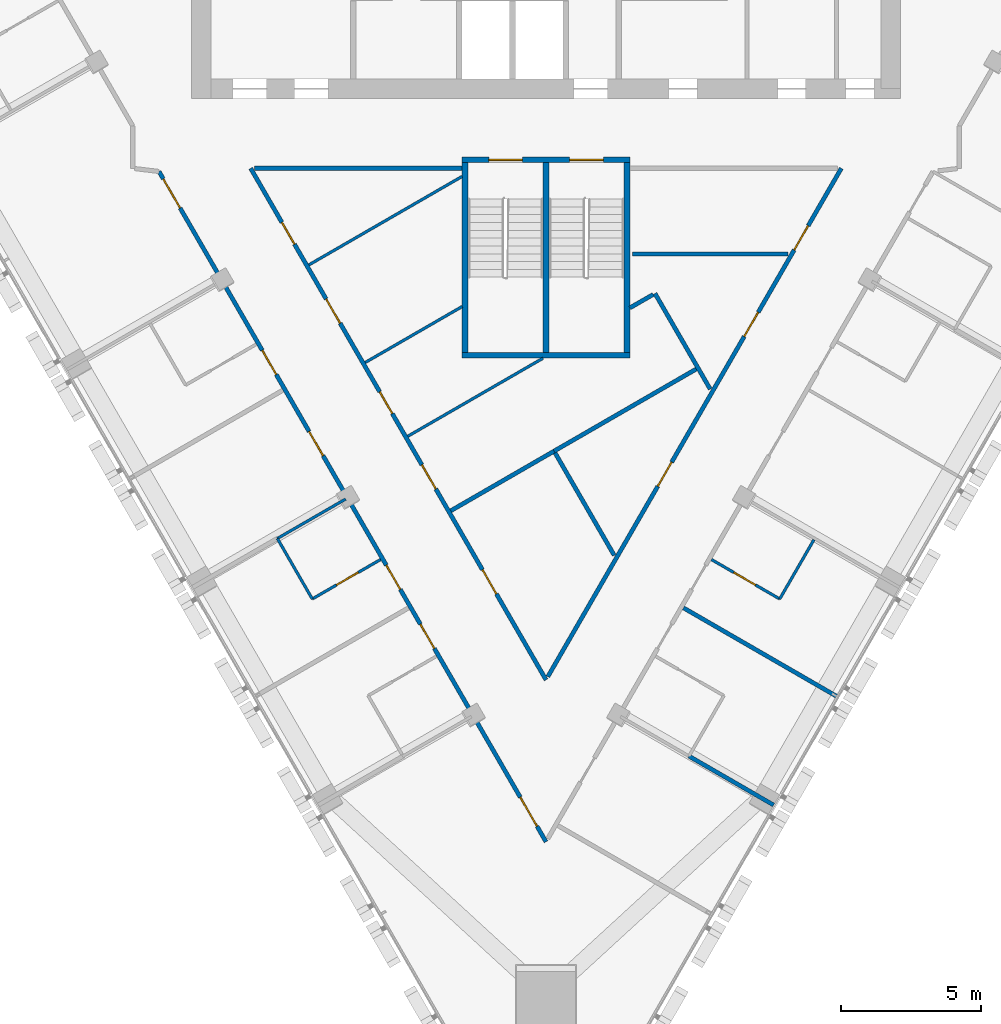
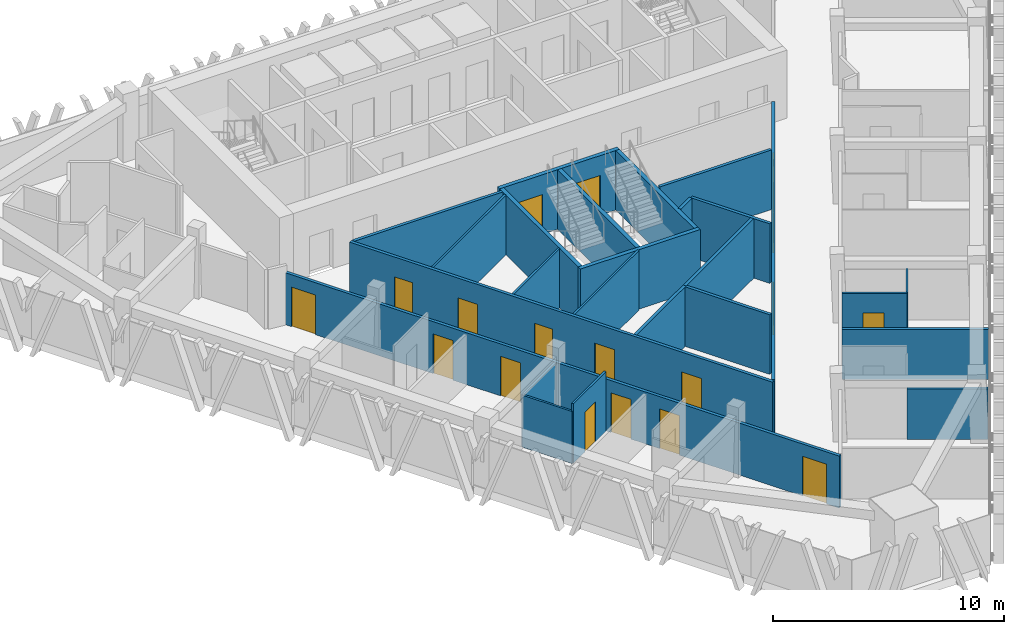
# One storey, part 9 of 15: 25 walls, 18 doors, 18 openings.
"""IFC4 building model written with IfcOpenShell, lengths in metres."""

from ifc_helpers import new_model, si_unit, direction, frame, frame_2d, origin, place, context, subcontext, project, spatial, rectangle, extrude, material, layer, layer_set, type_object, element, fill, save


model = new_model("IFC4")

# Units and contexts
model_context = context("Model", 3, precision=1e-05, world=origin(), true_north=direction((0.0, 1.0)))
body_context = subcontext(model_context, "Body", "Model", "MODEL_VIEW")
ifc_project = project(units=[si_unit("LENGTHUNIT", "METRE"), si_unit("AREAUNIT", "SQUARE_METRE"), si_unit("VOLUMEUNIT", "CUBIC_METRE"), si_unit("PLANEANGLEUNIT", "RADIAN"), si_unit("MASSUNIT", "GRAM", prefix="KILO")], contexts=[model_context])

# Site, building, storey
site_placement = place(None, origin())
site = spatial("IfcSite", under=ifc_project, at=site_placement, CompositionType="ELEMENT")
building_placement = place(site_placement, origin())
building = spatial("IfcBuilding", under=site, at=building_placement, Name="Altiplano Prism Tower", CompositionType="ELEMENT")
storey_placement = place(building_placement, frame((0.0, 0.0, 171.0)))
storey = spatial("IfcBuildingStorey", under=building, at=storey_placement, Name="L44", CompositionType="ELEMENT", Elevation=171.0)

# Wall, opening, door
ifc_material_1 = material(Name="Plasterboard on steel stud", Category="steel")
ifc_layer_1 = layer(ifc_material_1, 0.10009765625)
ifc_layer_set_1 = layer_set([ifc_layer_1], Name="Plasterboard on steel stud")
wall_type_1 = type_object("IfcWallType", Name="Partition 100 unit", PredefinedType="PARTITIONING", material=ifc_layer_set_1)
wall_1_placement = place(storey_placement, frame((79.0771484375, 76.192138671875, 0.0), z_axis=(0.0, 0.0, 1.0), x_axis=(-0.866027263711, -0.4999967785, 0.0)))
wall_1 = element("IfcWall", 1, at=wall_1_placement, inside=storey, type_object=wall_type_1, Name="Partition P02 L44 048", PredefinedType="PARTITIONING", context=body_context, shape_type="SweptSolid", body=[
    extrude(rectangle(XDim=2.82470703125, YDim=0.10009765625, at=frame_2d((1.412353515625, 0.0))), origin(), (0.0, 0.0, 1.0), 3.14990234375),
])
opening_1_placement = place(wall_1_placement, frame((0.925048828125, 0.0, 0.0)))
opening_1 = element("IfcOpeningElement", 2, at=opening_1_placement, cuts=wall_1, Name="Opening D1556", PredefinedType="OPENING", context=body_context, shape_type="SweptSolid", body=[
    extrude(rectangle(XDim=0.89990234375, YDim=2.10009765625, at=frame_2d((0.449951171875, 1.050048828125))), frame((0.0, 0.060546875, 0.0), z_axis=(0.0, -1.0, 0.0), x_axis=(1.0, 0.0, 0.0)), (0.0, 0.0, 1.0), 0.12109375),
])
ifc_material_2 = material(Name="Timber", Category="wood")
door_type_1 = type_object("IfcDoorType", Name="Ensuite door 900 x 2100", OperationType="NOTDEFINED", PredefinedType="NOTDEFINED", material=ifc_material_2)
door_1_placement = place(opening_1_placement, origin())
door_1 = element("IfcDoor", 3, at=door_1_placement, inside=storey, type_object=door_type_1, Name="Door D1556", OperationType="SINGLE_SWING_RIGHT", OverallHeight=2.10009765625, OverallWidth=0.89990234375, PredefinedType="NOTDEFINED", context=body_context, shape_type="SweptSolid", body=[
    extrude(rectangle(XDim=0.89990234375, YDim=2.10009765625, at=frame_2d((0.449951171875, 1.050048828125))), frame((0.0, 0.02490234375, 0.0), z_axis=(0.0, -1.0, 0.0), x_axis=(1.0, 0.0, 0.0)), (0.0, 0.0, 1.0), 0.050048828125),
])
fill(opening_1, door_1)

# Walls
wall_2_placement = place(storey_placement, frame((76.630859375, 74.77978515625, 0.0), z_axis=(0.0, 0.0, 1.0), x_axis=(-0.500004234368, 0.866022959057, 0.0)))
element("IfcWall", 4, at=wall_2_placement, inside=storey, type_object=wall_type_1, Name="Partition P02 L44 049", PredefinedType="PARTITIONING", context=body_context, shape_type="SweptSolid", body=[
    extrude(rectangle(XDim=2.5, YDim=0.10009765625, at=frame_2d((1.25, 0.0))), origin(), (0.0, 0.0, 1.0), 2.75),
])
wall_3_placement = place(storey_placement, frame((94.59423828125, 76.9013671875, 0.0), z_axis=(0.0, 0.0, 1.0), x_axis=(-0.500061746146, -0.865989751695, 0.0)))
element("IfcWall", 5, at=wall_3_placement, inside=storey, type_object=wall_type_1, Name="Partition P02 L44 061", PredefinedType="PARTITIONING", context=body_context, shape_type="SweptSolid", body=[
    extrude(rectangle(XDim=2.449951171875, YDim=0.10009765625, at=frame_2d((1.22509765625, 0.0))), origin(), (0.0, 0.0, 1.0), 2.75),
])

# Wall, opening, door
wall_4_placement = place(storey_placement, frame((93.369140625, 74.77978515625, 0.0), z_axis=(0.0, 0.0, 1.0), x_axis=(-0.866027263711, 0.4999967785, 0.0)))
wall_4 = element("IfcWall", 6, at=wall_4_placement, inside=storey, type_object=wall_type_1, Name="Partition P02 L44 062", PredefinedType="PARTITIONING", context=body_context, shape_type="SweptSolid", body=[
    extrude(rectangle(XDim=2.82470703125, YDim=0.10009765625, at=frame_2d((1.412353515625, 0.0))), origin(), (0.0, 0.0, 1.0), 3.14990234375),
])
opening_2_placement = place(wall_4_placement, frame((1.0, 0.0, 0.0)))
opening_2 = element("IfcOpeningElement", 7, at=opening_2_placement, cuts=wall_4, Name="Opening D1564", PredefinedType="OPENING", context=body_context, shape_type="SweptSolid", body=[
    extrude(rectangle(XDim=0.89990234375, YDim=2.10009765625, at=frame_2d((0.449951171875, 1.050048828125))), frame((0.0, 0.060546875, 0.0), z_axis=(0.0, -1.0, 0.0), x_axis=(1.0, 0.0, 0.0)), (0.0, 0.0, 1.0), 0.12109375),
])
door_2_placement = place(opening_2_placement, origin())
door_2 = element("IfcDoor", 8, at=door_2_placement, inside=storey, type_object=door_type_1, Name="Door D1564", OperationType="SINGLE_SWING_LEFT", OverallHeight=2.10009765625, OverallWidth=0.89990234375, PredefinedType="NOTDEFINED", context=body_context, shape_type="SweptSolid", body=[
    extrude(rectangle(XDim=0.89990234375, YDim=2.10009765625, at=frame_2d((0.449951171875, 1.050048828125))), frame((0.0, 0.02490234375, 0.0), z_axis=(0.0, -1.0, 0.0), x_axis=(1.0, 0.0, 0.0)), (0.0, 0.0, 1.0), 0.050048828125),
])
fill(opening_2, door_2)

# Walls
ifc_layer_2 = layer(ifc_material_1, 0.10009765625)
ifc_layer_set_2 = layer_set([ifc_layer_2], Name="Plasterboard on steel stud")
wall_type_2 = type_object("IfcWallType", Name="Partition 100 wet", PredefinedType="PARTITIONING", material=ifc_layer_set_2)
wall_5_placement = place(storey_placement, frame((82.0, 85.251708984375, 0.0), z_axis=(0.0, 0.0, 1.0), x_axis=(-0.866013269967, -0.500021015799, 0.0)))
element("IfcWall", 9, at=wall_5_placement, inside=storey, type_object=wall_type_2, Name="Partition P03 L44 030", PredefinedType="PARTITIONING", context=body_context, shape_type="SweptSolid", body=[
    extrude(rectangle(XDim=4.010986328125, YDim=0.10009765625, at=frame_2d((2.00537109375, 0.0))), origin(), (0.0, 0.0, 1.0), 3.14990234375),
])
wall_6_placement = place(storey_placement, frame((80.05126953125, 80.605224609375, 0.0), z_axis=(0.0, 0.0, 1.0), x_axis=(0.866027745044, 0.499995944798, 0.0)))
element("IfcWall", 10, at=wall_6_placement, inside=storey, type_object=wall_type_2, Name="Partition P03 L44 031", PredefinedType="PARTITIONING", context=body_context, shape_type="SweptSolid", body=[
    extrude(rectangle(XDim=5.58935546875, YDim=0.10009765625, at=frame_2d((2.794677734375, 0.0))), origin(), (0.0, 0.0, 1.0), 3.14990234375),
])
wall_7_placement = place(storey_placement, frame((76.5087890625, 86.740966796875, 0.0), z_axis=(0.0, 0.0, 1.0), x_axis=(0.866004767111, 0.500035742063, 0.0)))
element("IfcWall", 11, at=wall_7_placement, inside=storey, type_object=wall_type_2, Name="Partition P03 L44 032", PredefinedType="PARTITIONING", context=body_context, shape_type="SweptSolid", body=[
    extrude(rectangle(XDim=6.3408203125, YDim=0.10009765625, at=frame_2d((3.17041015625, 0.0))), origin(), (0.0, 0.0, 1.0), 3.14990234375),
])
wall_8_placement = place(storey_placement, frame((75.380859375, 76.94482421875, 0.0), z_axis=(0.0, 0.0, 1.0), x_axis=(0.866027263711, 0.4999967785, 0.0)))
element("IfcWall", 12, at=wall_8_placement, inside=storey, type_object=wall_type_2, Name="Partition P03 L44 047", PredefinedType="PARTITIONING", context=body_context, shape_type="SweptSolid", body=[
    extrude(rectangle(XDim=2.82470703125, YDim=0.10009765625, at=frame_2d((1.412353515625, 0.0))), origin(), (0.0, 0.0, 1.0), 2.75),
])
ifc_layer_3 = layer(ifc_material_1, 0.14990234375)
ifc_layer_set_3 = layer_set([ifc_layer_3], Name="Plasterboard on steel stud")
wall_type_3 = type_object("IfcWallType", Name="Partition 150 corridor", PredefinedType="PARTITIONING", material=ifc_layer_set_3)
wall_9_placement = place(storey_placement, frame((74.554931640625, 90.199951171875, 0.0), z_axis=(0.0, 0.0, 1.0), x_axis=(1.0, 0.0, 0.0)))
element("IfcWall", 13, at=wall_9_placement, inside=storey, type_object=wall_type_3, Name="Partition P06 L44 001", PredefinedType="PARTITIONING", context=body_context, shape_type="SweptSolid", body=[
    extrude(rectangle(XDim=7.445068359375, YDim=0.14990234375, at=frame_2d((3.72265625, 0.0))), origin(), (0.0, 0.0, 1.0), 3.14990234375),
])

# Wall, openings, doors
wall_10_placement = place(storey_placement, frame((95.574951171875, 90.199951171875, 0.0), z_axis=(0.0, 0.0, 1.0), x_axis=(-0.500000277693, -0.866025243458, 0.0)))
wall_10 = element("IfcWall", 14, at=wall_10_placement, inside=storey, type_object=wall_type_3, Name="Partition P06 L44 002", PredefinedType="PARTITIONING", context=body_context, shape_type="SweptSolid", body=[
    extrude(rectangle(XDim=21.02001953125, YDim=0.14990234375, at=frame_2d((10.510009765625, 0.0))), origin(), (0.0, 0.0, 1.0), 3.14990234375),
])
opening_3_placement = place(wall_10_placement, frame((5.952880859375, 0.0, 0.0)))
opening_3 = element("IfcOpeningElement", 15, at=opening_3_placement, cuts=wall_10, Name="Opening D1545", PredefinedType="OPENING", context=body_context, shape_type="SweptSolid", body=[
    extrude(rectangle(XDim=1.0, YDim=2.10009765625, at=frame_2d((0.5, 1.050048828125))), frame((0.0, 0.08544921875, 0.0), z_axis=(0.0, -1.0, 0.0), x_axis=(1.0, 0.0, 0.0)), (0.0, 0.0, 1.0), 0.1708984375),
])
opening_4_placement = place(wall_10_placement, frame((12.14892578125, 0.0, 0.0)))
opening_4 = element("IfcOpeningElement", 16, at=opening_4_placement, cuts=wall_10, Name="Opening D1546", PredefinedType="OPENING", context=body_context, shape_type="SweptSolid", body=[
    extrude(rectangle(XDim=1.0, YDim=2.10009765625, at=frame_2d((0.5, 1.050048828125))), frame((0.0, 0.08544921875, 0.0), z_axis=(0.0, -1.0, 0.0), x_axis=(1.0, 0.0, 0.0)), (0.0, 0.0, 1.0), 0.1708984375),
])
opening_5_placement = place(wall_10_placement, frame((2.375, 0.0, 0.0)))
opening_5 = element("IfcOpeningElement", 17, at=opening_5_placement, cuts=wall_10, Name="Opening D1547", PredefinedType="OPENING", context=body_context, shape_type="SweptSolid", body=[
    extrude(rectangle(XDim=1.0, YDim=2.10009765625, at=frame_2d((0.5, 1.050048828125))), frame((0.0, 0.08544921875, 0.0), z_axis=(0.0, -1.0, 0.0), x_axis=(1.0, 0.0, 0.0)), (0.0, 0.0, 1.0), 0.1708984375),
])
door_type_2 = type_object("IfcDoorType", Name="Store door 1000 x 2100", OperationType="NOTDEFINED", PredefinedType="NOTDEFINED", material=ifc_material_2)
door_3_placement = place(opening_3_placement, origin())
door_3 = element("IfcDoor", 18, at=door_3_placement, inside=storey, type_object=door_type_2, Name="Door D1545", OperationType="SINGLE_SWING_RIGHT", OverallHeight=2.10009765625, OverallWidth=1.0, PredefinedType="NOTDEFINED", context=body_context, shape_type="SweptSolid", body=[
    extrude(rectangle(XDim=1.0, YDim=2.10009765625, at=frame_2d((0.5, 1.050048828125))), frame((0.0, 0.02490234375, 0.0), z_axis=(0.0, -1.0, 0.0), x_axis=(1.0, 0.0, 0.0)), (0.0, 0.0, 1.0), 0.050048828125),
])
fill(opening_3, door_3)
door_4_placement = place(opening_4_placement, origin())
door_4 = element("IfcDoor", 19, at=door_4_placement, inside=storey, type_object=door_type_2, Name="Door D1546", OperationType="SINGLE_SWING_LEFT", OverallHeight=2.10009765625, OverallWidth=1.0, PredefinedType="NOTDEFINED", context=body_context, shape_type="SweptSolid", body=[
    extrude(rectangle(XDim=1.0, YDim=2.10009765625, at=frame_2d((0.5, 1.050048828125))), frame((0.0, 0.02490234375, 0.0), z_axis=(0.0, -1.0, 0.0), x_axis=(1.0, 0.0, 0.0)), (0.0, 0.0, 1.0), 0.050048828125),
])
fill(opening_4, door_4)
door_5_placement = place(opening_5_placement, origin())
door_5 = element("IfcDoor", 20, at=door_5_placement, inside=storey, type_object=door_type_2, Name="Door D1547", OperationType="SINGLE_SWING_LEFT", OverallHeight=2.10009765625, OverallWidth=1.0, PredefinedType="NOTDEFINED", context=body_context, shape_type="SweptSolid", body=[
    extrude(rectangle(XDim=1.0, YDim=2.10009765625, at=frame_2d((0.5, 1.050048828125))), frame((0.0, 0.02490234375, 0.0), z_axis=(0.0, -1.0, 0.0), x_axis=(1.0, 0.0, 0.0)), (0.0, 0.0, 1.0), 0.050048828125),
])
fill(opening_5, door_5)

wall_11_placement = place(storey_placement, frame((85.0, 71.8837890625, 0.0), z_axis=(0.0, 0.0, 1.0), x_axis=(-0.500003902437, 0.8660231507, 0.0)))
wall_11 = element("IfcWall", 21, at=wall_11_placement, inside=storey, type_object=wall_type_3, Name="Partition P06 L44 004", PredefinedType="PARTITIONING", context=body_context, shape_type="SweptSolid", body=[
    extrude(rectangle(XDim=21.149658203125, YDim=0.14990234375, at=frame_2d((10.57470703125, 0.0))), origin(), (0.0, 0.0, 1.0), 3.14990234375),
])
opening_6_placement = place(wall_11_placement, frame((11.008056640625, 0.0, 0.0)))
opening_6 = element("IfcOpeningElement", 22, at=opening_6_placement, cuts=wall_11, Name="Opening D1543", PredefinedType="OPENING", context=body_context, shape_type="SweptSolid", body=[
    extrude(rectangle(XDim=0.89990234375, YDim=2.10009765625, at=frame_2d((0.449951171875, 1.050048828125))), frame((0.0, 0.08544921875, 0.0), z_axis=(0.0, -1.0, 0.0), x_axis=(1.0, 0.0, 0.0)), (0.0, 0.0, 1.0), 0.1708984375),
])
opening_7_placement = place(wall_11_placement, frame((18.014892578125, 0.0, 0.0)))
opening_7 = element("IfcOpeningElement", 23, at=opening_7_placement, cuts=wall_11, Name="Opening D1544", PredefinedType="OPENING", context=body_context, shape_type="SweptSolid", body=[
    extrude(rectangle(XDim=0.89990234375, YDim=2.10009765625, at=frame_2d((0.449951171875, 1.050048828125))), frame((0.0, 0.08544921875, 0.0), z_axis=(0.0, -1.0, 0.0), x_axis=(1.0, 0.0, 0.0)), (0.0, 0.0, 1.0), 0.1708984375),
])
opening_8_placement = place(wall_11_placement, frame((14.743896484375, 0.0, 0.0)))
opening_8 = element("IfcOpeningElement", 24, at=opening_8_placement, cuts=wall_11, Name="Opening D1548", PredefinedType="OPENING", context=body_context, shape_type="SweptSolid", body=[
    extrude(rectangle(XDim=1.0, YDim=2.10009765625, at=frame_2d((0.5, 1.050048828125))), frame((0.0, 0.08544921875, 0.0), z_axis=(0.0, -1.0, 0.0), x_axis=(1.0, 0.0, 0.0)), (0.0, 0.0, 1.0), 0.1708984375),
])
opening_9_placement = place(wall_11_placement, frame((7.888916015625, 0.0, 0.0)))
opening_9 = element("IfcOpeningElement", 25, at=opening_9_placement, cuts=wall_11, Name="Opening D1573", PredefinedType="OPENING", context=body_context, shape_type="SweptSolid", body=[
    extrude(rectangle(XDim=1.0, YDim=2.10009765625, at=frame_2d((0.5, 1.050048828125))), frame((0.0, 0.08544921875, 0.0), z_axis=(0.0, -1.0, 0.0), x_axis=(1.0, 0.0, 0.0)), (0.0, 0.0, 1.0), 0.1708984375),
])
opening_10_placement = place(wall_11_placement, frame((3.554931640625, 0.0, 0.0)))
opening_10 = element("IfcOpeningElement", 26, at=opening_10_placement, cuts=wall_11, Name="Opening D1574", PredefinedType="OPENING", context=body_context, shape_type="SweptSolid", body=[
    extrude(rectangle(XDim=1.0, YDim=2.10009765625, at=frame_2d((0.5, 1.050048828125))), frame((0.0, 0.08544921875, 0.0), z_axis=(0.0, -1.0, 0.0), x_axis=(1.0, 0.0, 0.0)), (0.0, 0.0, 1.0), 0.1708984375),
])
door_type_3 = type_object("IfcDoorType", Name="Room door 1000 x 2100", OperationType="NOTDEFINED", PredefinedType="NOTDEFINED", material=ifc_material_2)
door_6_placement = place(opening_9_placement, origin())
door_6 = element("IfcDoor", 27, at=door_6_placement, inside=storey, type_object=door_type_3, Name="Door D1573", OperationType="SINGLE_SWING_RIGHT", OverallHeight=2.10009765625, OverallWidth=1.0, PredefinedType="NOTDEFINED", context=body_context, shape_type="SweptSolid", body=[
    extrude(rectangle(XDim=1.0, YDim=2.10009765625, at=frame_2d((0.5, 1.050048828125))), frame((0.0, 0.02490234375, 0.0), z_axis=(0.0, -1.0, 0.0), x_axis=(1.0, 0.0, 0.0)), (0.0, 0.0, 1.0), 0.050048828125),
])
fill(opening_9, door_6)
door_7_placement = place(opening_10_placement, origin())
door_7 = element("IfcDoor", 28, at=door_7_placement, inside=storey, type_object=door_type_3, Name="Door D1574", OperationType="SINGLE_SWING_LEFT", OverallHeight=2.10009765625, OverallWidth=1.0, PredefinedType="NOTDEFINED", context=body_context, shape_type="SweptSolid", body=[
    extrude(rectangle(XDim=1.0, YDim=2.10009765625, at=frame_2d((0.5, 1.050048828125))), frame((0.0, 0.02490234375, 0.0), z_axis=(0.0, -1.0, 0.0), x_axis=(1.0, 0.0, 0.0)), (0.0, 0.0, 1.0), 0.050048828125),
])
fill(opening_10, door_7)
door_8_placement = place(opening_8_placement, origin())
door_8 = element("IfcDoor", 29, at=door_8_placement, inside=storey, type_object=door_type_2, Name="Door D1548", OperationType="SINGLE_SWING_RIGHT", OverallHeight=2.10009765625, OverallWidth=1.0, PredefinedType="NOTDEFINED", context=body_context, shape_type="SweptSolid", body=[
    extrude(rectangle(XDim=1.0, YDim=2.10009765625, at=frame_2d((0.5, 1.050048828125))), frame((0.0, 0.02490234375, 0.0), z_axis=(0.0, -1.0, 0.0), x_axis=(1.0, 0.0, 0.0)), (0.0, 0.0, 1.0), 0.050048828125),
])
fill(opening_8, door_8)
door_type_4 = type_object("IfcDoorType", Name="Toilet door 900 x 2100", OperationType="NOTDEFINED", PredefinedType="NOTDEFINED", material=ifc_material_2)
door_9_placement = place(opening_6_placement, origin())
door_9 = element("IfcDoor", 30, at=door_9_placement, inside=storey, type_object=door_type_4, Name="Door D1543", OperationType="SINGLE_SWING_LEFT", OverallHeight=2.10009765625, OverallWidth=0.89990234375, PredefinedType="NOTDEFINED", context=body_context, shape_type="SweptSolid", body=[
    extrude(rectangle(XDim=0.89990234375, YDim=2.10009765625, at=frame_2d((0.449951171875, 1.050048828125))), frame((0.0, 0.02490234375, 0.0), z_axis=(0.0, -1.0, 0.0), x_axis=(1.0, 0.0, 0.0)), (0.0, 0.0, 1.0), 0.050048828125),
])
fill(opening_6, door_9)
door_10_placement = place(opening_7_placement, origin())
door_10 = element("IfcDoor", 31, at=door_10_placement, inside=storey, type_object=door_type_4, Name="Door D1544", OperationType="SINGLE_SWING_RIGHT", OverallHeight=2.10009765625, OverallWidth=0.89990234375, PredefinedType="NOTDEFINED", context=body_context, shape_type="SweptSolid", body=[
    extrude(rectangle(XDim=0.89990234375, YDim=2.10009765625, at=frame_2d((0.449951171875, 1.050048828125))), frame((0.0, 0.02490234375, 0.0), z_axis=(0.0, -1.0, 0.0), x_axis=(1.0, 0.0, 0.0)), (0.0, 0.0, 1.0), 0.050048828125),
])
fill(opening_7, door_10)

wall_12_placement = place(storey_placement, frame((71.142333984375, 90.086181640625, 0.0), z_axis=(0.0, 0.0, 1.0), x_axis=(0.499995941133, -0.86602774716, 0.0)))
wall_12 = element("IfcWall", 32, at=wall_12_placement, inside=storey, type_object=wall_type_3, Name="Partition P06 L44 009", PredefinedType="PARTITIONING", context=body_context, shape_type="SweptSolid", body=[
    extrude(rectangle(XDim=27.715576171875, YDim=0.14990234375, at=frame_2d((13.85791015625, 0.0))), origin(), (0.0, 0.0, 1.0), 2.75),
])
opening_11_placement = place(wall_12_placement, frame((0.31005859375, 0.0, 0.0)))
opening_11 = element("IfcOpeningElement", 33, at=opening_11_placement, cuts=wall_12, Name="Opening D1551", PredefinedType="OPENING", context=body_context, shape_type="SweptSolid", body=[
    extrude(rectangle(XDim=1.199951171875, YDim=2.10009765625, at=frame_2d((0.60009765625, 1.050048828125))), frame((0.0, 0.08544921875, 0.0), z_axis=(0.0, -1.0, 0.0), x_axis=(1.0, 0.0, 0.0)), (0.0, 0.0, 1.0), 0.1708984375),
])
opening_12_placement = place(wall_12_placement, frame((7.39501953125, 0.0, 0.0)))
opening_12 = element("IfcOpeningElement", 34, at=opening_12_placement, cuts=wall_12, Name="Opening D1552", PredefinedType="OPENING", context=body_context, shape_type="SweptSolid", body=[
    extrude(rectangle(XDim=1.0, YDim=2.10009765625, at=frame_2d((0.5, 1.050048828125))), frame((0.0, 0.08544921875, 0.0), z_axis=(0.0, -1.0, 0.0), x_axis=(1.0, 0.0, 0.0)), (0.0, 0.0, 1.0), 0.1708984375),
])
opening_13_placement = place(wall_12_placement, frame((10.75, 0.0, 0.0)))
opening_13 = element("IfcOpeningElement", 35, at=opening_13_placement, cuts=wall_12, Name="Opening D1554", PredefinedType="OPENING", context=body_context, shape_type="SweptSolid", body=[
    extrude(rectangle(XDim=1.0, YDim=2.10009765625, at=frame_2d((0.5, 1.050048828125))), frame((0.0, 0.08544921875, 0.0), z_axis=(0.0, -1.0, 0.0), x_axis=(1.0, 0.0, 0.0)), (0.0, 0.0, 1.0), 0.1708984375),
])
opening_14_placement = place(wall_12_placement, frame((16.280029296875, 0.0, 0.0)))
opening_14 = element("IfcOpeningElement", 36, at=opening_14_placement, cuts=wall_12, Name="Opening D1555", PredefinedType="OPENING", context=body_context, shape_type="SweptSolid", body=[
    extrude(rectangle(XDim=1.0, YDim=2.10009765625, at=frame_2d((0.5, 1.050048828125))), frame((0.0, 0.08544921875, 0.0), z_axis=(0.0, -1.0, 0.0), x_axis=(1.0, 0.0, 0.0)), (0.0, 0.0, 1.0), 0.1708984375),
])
opening_15_placement = place(wall_12_placement, frame((18.719970703125, 0.0, 0.0)))
opening_15 = element("IfcOpeningElement", 37, at=opening_15_placement, cuts=wall_12, Name="Opening D1557", PredefinedType="OPENING", context=body_context, shape_type="SweptSolid", body=[
    extrude(rectangle(XDim=1.0, YDim=2.10009765625, at=frame_2d((0.5, 1.050048828125))), frame((0.0, 0.08544921875, 0.0), z_axis=(0.0, -1.0, 0.0), x_axis=(1.0, 0.0, 0.0)), (0.0, 0.0, 1.0), 0.1708984375),
])
opening_16_placement = place(wall_12_placement, frame((25.8740234375, 0.0, 0.0)))
opening_16 = element("IfcOpeningElement", 38, at=opening_16_placement, cuts=wall_12, Name="Opening D1559", PredefinedType="OPENING", context=body_context, shape_type="SweptSolid", body=[
    extrude(rectangle(XDim=1.199951171875, YDim=2.10009765625, at=frame_2d((0.60009765625, 1.050048828125))), frame((0.0, 0.08544921875, 0.0), z_axis=(0.0, -1.0, 0.0), x_axis=(1.0, 0.0, 0.0)), (0.0, 0.0, 1.0), 0.1708984375),
])
door_type_5 = type_object("IfcDoorType", Name="Bedroom entrance door 1000 x 2100", OperationType="NOTDEFINED", PredefinedType="NOTDEFINED", material=ifc_material_2)
door_11_placement = place(opening_12_placement, origin())
door_11 = element("IfcDoor", 39, at=door_11_placement, inside=storey, type_object=door_type_5, Name="Door D1552", OperationType="SINGLE_SWING_LEFT", OverallHeight=2.10009765625, OverallWidth=1.0, PredefinedType="NOTDEFINED", context=body_context, shape_type="SweptSolid", body=[
    extrude(rectangle(XDim=1.0, YDim=2.10009765625, at=frame_2d((0.5, 1.050048828125))), frame((0.0, 0.02490234375, 0.0), z_axis=(0.0, -1.0, 0.0), x_axis=(1.0, 0.0, 0.0)), (0.0, 0.0, 1.0), 0.050048828125),
])
fill(opening_12, door_11)
door_12_placement = place(opening_14_placement, origin())
door_12 = element("IfcDoor", 40, at=door_12_placement, inside=storey, type_object=door_type_5, Name="Door D1555", OperationType="SINGLE_SWING_LEFT", OverallHeight=2.10009765625, OverallWidth=1.0, PredefinedType="NOTDEFINED", context=body_context, shape_type="SweptSolid", body=[
    extrude(rectangle(XDim=1.0, YDim=2.10009765625, at=frame_2d((0.5, 1.050048828125))), frame((0.0, 0.02490234375, 0.0), z_axis=(0.0, -1.0, 0.0), x_axis=(1.0, 0.0, 0.0)), (0.0, 0.0, 1.0), 0.050048828125),
])
fill(opening_14, door_12)
door_13_placement = place(opening_15_placement, origin())
door_13 = element("IfcDoor", 41, at=door_13_placement, inside=storey, type_object=door_type_5, Name="Door D1557", OperationType="SINGLE_SWING_LEFT", OverallHeight=2.10009765625, OverallWidth=1.0, PredefinedType="NOTDEFINED", context=body_context, shape_type="SweptSolid", body=[
    extrude(rectangle(XDim=1.0, YDim=2.10009765625, at=frame_2d((0.5, 1.050048828125))), frame((0.0, 0.02490234375, 0.0), z_axis=(0.0, -1.0, 0.0), x_axis=(1.0, 0.0, 0.0)), (0.0, 0.0, 1.0), 0.050048828125),
])
fill(opening_15, door_13)
door_14_placement = place(opening_13_placement, origin())
door_14 = element("IfcDoor", 42, at=door_14_placement, inside=storey, type_object=door_type_3, Name="Door D1554", OperationType="SINGLE_SWING_LEFT", OverallHeight=2.10009765625, OverallWidth=1.0, PredefinedType="NOTDEFINED", context=body_context, shape_type="SweptSolid", body=[
    extrude(rectangle(XDim=1.0, YDim=2.10009765625, at=frame_2d((0.5, 1.050048828125))), frame((0.0, 0.02490234375, 0.0), z_axis=(0.0, -1.0, 0.0), x_axis=(1.0, 0.0, 0.0)), (0.0, 0.0, 1.0), 0.050048828125),
])
fill(opening_13, door_14)
door_type_6 = type_object("IfcDoorType", Name="Shared room door 1200 x 2100", OperationType="NOTDEFINED", PredefinedType="NOTDEFINED", material=ifc_material_2)
door_15_placement = place(opening_11_placement, origin())
door_15 = element("IfcDoor", 43, at=door_15_placement, inside=storey, type_object=door_type_6, Name="Door D1551", OperationType="SINGLE_SWING_RIGHT", OverallHeight=2.10009765625, OverallWidth=1.199951171875, PredefinedType="NOTDEFINED", context=body_context, shape_type="SweptSolid", body=[
    extrude(rectangle(XDim=1.199951171875, YDim=2.10009765625, at=frame_2d((0.60009765625, 1.050048828125))), frame((0.0, 0.02490234375, 0.0), z_axis=(0.0, -1.0, 0.0), x_axis=(1.0, 0.0, 0.0)), (0.0, 0.0, 1.0), 0.050048828125),
])
fill(opening_11, door_15)
door_16_placement = place(opening_16_placement, origin())
door_16 = element("IfcDoor", 44, at=door_16_placement, inside=storey, type_object=door_type_6, Name="Door D1559", OperationType="SINGLE_SWING_RIGHT", OverallHeight=2.10009765625, OverallWidth=1.199951171875, PredefinedType="NOTDEFINED", context=body_context, shape_type="SweptSolid", body=[
    extrude(rectangle(XDim=1.199951171875, YDim=2.10009765625, at=frame_2d((0.60009765625, 1.050048828125))), frame((0.0, 0.02490234375, 0.0), z_axis=(0.0, -1.0, 0.0), x_axis=(1.0, 0.0, 0.0)), (0.0, 0.0, 1.0), 0.050048828125),
])
fill(opening_16, door_16)

# Walls
ifc_layer_4 = layer(ifc_material_1, 0.14990234375)
ifc_layer_set_4 = layer_set([ifc_layer_4], Name="Plasterboard on steel stud")
wall_type_4 = type_object("IfcWallType", Name="Partition 150 party", PredefinedType="PARTITIONING", material=ifc_layer_set_4)
wall_13_placement = place(storey_placement, frame((93.6728515625, 87.13037109375, 0.0), z_axis=(0.0, 0.0, 1.0), x_axis=(-1.0, 0.0, 0.0)))
element("IfcWall", 45, at=wall_13_placement, inside=storey, type_object=wall_type_4, Name="Partition P01 L44 033", PredefinedType="PARTITIONING", context=body_context, shape_type="SweptSolid", body=[
    extrude(rectangle(XDim=5.569091796875, YDim=0.14990234375, at=frame_2d((2.78466796875, 0.0))), origin(), (0.0, 0.0, 1.0), 3.14990234375),
])
wall_14_placement = place(storey_placement, frame((88.003173828125, 85.203369140625, 0.0), z_axis=(0.0, 0.0, 1.0), x_axis=(0.86758594892, 0.497287262291, 0.0)))
element("IfcWall", 46, at=wall_14_placement, inside=storey, type_object=wall_type_4, Name="Partition P01 L44 034", PredefinedType="PARTITIONING", context=body_context, shape_type="SweptSolid", body=[
    extrude(rectangle(XDim=0.961181640625, YDim=0.14990234375, at=frame_2d((0.48046875, 0.0))), origin(), (0.0, 0.0, 1.0), 3.14990234375),
])
wall_15_placement = place(storey_placement, frame((88.902099609375, 85.71875, 0.0), z_axis=(0.0, 0.0, 1.0), x_axis=(0.500009182942, -0.866020101945, 0.0)))
element("IfcWall", 47, at=wall_15_placement, inside=storey, type_object=wall_type_4, Name="Partition P01 L44 035", PredefinedType="PARTITIONING", context=body_context, shape_type="SweptSolid", body=[
    extrude(rectangle(XDim=3.95556640625, YDim=0.14990234375, at=frame_2d((1.977783203125, 0.0))), origin(), (0.0, 0.0, 1.0), 3.14990234375),
])
wall_16_placement = place(storey_placement, frame((90.378662109375, 83.011474609375, 0.0), z_axis=(0.0, 0.0, 1.0), x_axis=(-0.866028408645, -0.499994795393, 0.0)))
element("IfcWall", 48, at=wall_16_placement, inside=storey, type_object=wall_type_4, Name="Partition P01 L44 036", PredefinedType="PARTITIONING", context=body_context, shape_type="SweptSolid", body=[
    extrude(rectangle(XDim=5.8974609375, YDim=0.14990234375, at=frame_2d((2.94873046875, 0.0))), origin(), (0.0, 0.0, 1.0), 3.14990234375),
])
wall_17_placement = place(storey_placement, frame((85.326171875, 80.0078125, 0.0), z_axis=(0.0, 0.0, 1.0), x_axis=(0.49998363772, -0.866034850345, 0.0)))
element("IfcWall", 49, at=wall_17_placement, inside=storey, type_object=wall_type_4, Name="Partition P01 L44 037", PredefinedType="PARTITIONING", context=body_context, shape_type="SweptSolid", body=[
    extrude(rectangle(XDim=4.234619140625, YDim=0.14990234375, at=frame_2d((2.1171875, 0.0))), origin(), (0.0, 0.0, 1.0), 3.14990234375),
])
wall_18_placement = place(storey_placement, frame((93.150390625, 67.400390625, 0.0), z_axis=(0.0, 0.0, 1.0), x_axis=(-0.866036909293, 0.499980071345, 0.0)))
element("IfcWall", 50, at=wall_18_placement, inside=storey, type_object=wall_type_4, Name="Partition P01 L44 056", PredefinedType="PARTITIONING", context=body_context, shape_type="SweptSolid", body=[
    extrude(rectangle(XDim=3.500244140625, YDim=0.14990234375, at=frame_2d((1.75, 0.0))), origin(), (0.0, 0.0, 1.0), 2.64990234375),
])
wall_19_placement = place(storey_placement, frame((95.417724609375, 71.28759765625, 0.0), z_axis=(0.0, 0.0, 1.0), x_axis=(-0.866015781869, 0.500016665277, 0.0)))
element("IfcWall", 51, at=wall_19_placement, inside=storey, type_object=wall_type_4, Name="Partition P01 L44 060", PredefinedType="PARTITIONING", context=body_context, shape_type="SweptSolid", body=[
    extrude(rectangle(XDim=6.344970703125, YDim=0.14990234375, at=frame_2d((3.17236328125, 0.0))), origin(), (0.0, 0.0, 1.0), 2.64990234375),
])
wall_20_placement = place(storey_placement, frame((81.591064453125, 77.93798828125, 0.0), z_axis=(0.0, 0.0, 1.0), x_axis=(0.866024656678, 0.500001294024, 0.0)))
element("IfcWall", 52, at=wall_20_placement, inside=storey, type_object=wall_type_4, Name="Partition P01 L44 073", PredefinedType="PARTITIONING", context=body_context, shape_type="SweptSolid", body=[
    extrude(rectangle(XDim=4.26953125, YDim=0.14990234375, at=frame_2d((2.134765625, 0.0))), origin(), (0.0, 0.0, 1.0), 3.14990234375),
])

# Wall, openings, doors
ifc_material_3 = material(Name="Concrete C60/75", Category="concrete")
ifc_layer_5 = layer(ifc_material_3, 0.199951171875)
ifc_layer_set_5 = layer_set([ifc_layer_5], Name="Concrete C60/75")
wall_type_5 = type_object("IfcWallType", Name="Stair wall 200", PredefinedType="SOLIDWALL", material=ifc_layer_set_5)
wall_21_placement = place(storey_placement, frame((82.0, 90.5, 0.0), z_axis=(0.0, 0.0, 1.0), x_axis=(1.0, 0.0, 0.0)))
wall_21 = element("IfcWall", 53, at=wall_21_placement, inside=storey, type_object=wall_type_5, Name="Stair 3 wall north L44", PredefinedType="SOLIDWALL", context=body_context, shape_type="SweptSolid", body=[
    extrude(rectangle(XDim=6.0, YDim=0.199951171875, at=frame_2d((3.0, 0.0))), origin(), (0.0, 0.0, 1.0), 3.14990234375),
])
opening_17_placement = place(wall_21_placement, frame((0.949951171875, 0.0, 0.0)))
opening_17 = element("IfcOpeningElement", 54, at=opening_17_placement, cuts=wall_21, Name="Opening D4010", PredefinedType="OPENING", context=body_context, shape_type="SweptSolid", body=[
    extrude(rectangle(XDim=1.199951171875, YDim=2.10009765625, at=frame_2d((0.60009765625, 1.050048828125))), frame((0.0, 0.1103515625, 0.0), z_axis=(0.0, -1.0, 0.0), x_axis=(1.0, 0.0, 0.0)), (0.0, 0.0, 1.0), 0.220947265625),
])
opening_18_placement = place(wall_21_placement, frame((3.85009765625, 0.0, 0.0)))
opening_18 = element("IfcOpeningElement", 55, at=opening_18_placement, cuts=wall_21, Name="Opening D4011", PredefinedType="OPENING", context=body_context, shape_type="SweptSolid", body=[
    extrude(rectangle(XDim=1.199951171875, YDim=2.10009765625, at=frame_2d((0.60009765625, 1.050048828125))), frame((0.0, 0.1103515625, 0.0), z_axis=(0.0, -1.0, 0.0), x_axis=(1.0, 0.0, 0.0)), (0.0, 0.0, 1.0), 0.220947265625),
])
ifc_material_4 = material(Name="Fire-rated steel door", Category="steel")
door_type_7 = type_object("IfcDoorType", Name="Stair fire door 1200 x 2100", OperationType="NOTDEFINED", PredefinedType="NOTDEFINED", material=ifc_material_4)
door_17_placement = place(opening_17_placement, origin())
door_17 = element("IfcDoor", 56, at=door_17_placement, inside=storey, type_object=door_type_7, Name="Stair fire door D4010", OperationType="SINGLE_SWING_LEFT", OverallHeight=2.10009765625, OverallWidth=1.199951171875, PredefinedType="NOTDEFINED", context=body_context, shape_type="SweptSolid", body=[
    extrude(rectangle(XDim=1.199951171875, YDim=2.10009765625, at=frame_2d((0.60009765625, 1.050048828125))), frame((0.0, 0.02490234375, 0.0), z_axis=(0.0, -1.0, 0.0), x_axis=(1.0, 0.0, 0.0)), (0.0, 0.0, 1.0), 0.050048828125),
])
fill(opening_17, door_17)
door_18_placement = place(opening_18_placement, origin())
door_18 = element("IfcDoor", 57, at=door_18_placement, inside=storey, type_object=door_type_7, Name="Stair fire door D4011", OperationType="SINGLE_SWING_LEFT", OverallHeight=2.10009765625, OverallWidth=1.199951171875, PredefinedType="NOTDEFINED", context=body_context, shape_type="SweptSolid", body=[
    extrude(rectangle(XDim=1.199951171875, YDim=2.10009765625, at=frame_2d((0.60009765625, 1.050048828125))), frame((0.0, 0.02490234375, 0.0), z_axis=(0.0, -1.0, 0.0), x_axis=(1.0, 0.0, 0.0)), (0.0, 0.0, 1.0), 0.050048828125),
])
fill(opening_18, door_18)

# Walls
wall_22_placement = place(storey_placement, frame((82.0, 83.5, 0.0), z_axis=(0.0, 0.0, 1.0), x_axis=(1.0, 0.0, 0.0)))
element("IfcWall", 58, at=wall_22_placement, inside=storey, type_object=wall_type_5, Name="Stair 3 wall south L44", PredefinedType="SOLIDWALL", context=body_context, shape_type="SweptSolid", body=[
    extrude(rectangle(XDim=6.0, YDim=0.199951171875, at=frame_2d((3.0, 0.0))), origin(), (0.0, 0.0, 1.0), 3.14990234375),
])
for number, where, z_axis, x_axis, name in (
    (59, (82.10009765625, 83.60009765625, 0.0), (0.0, 0.0, 1.0), (0.0, 1.0, 0.0), "Stair 3 wall west L44"),
    (60, (87.89990234375, 83.60009765625, 0.0), (0.0, 0.0, 1.0), (0.0, 1.0, 0.0), "Stair 3 wall east L44"),
    (61, (85.0, 83.60009765625, 0.0), (0.0, 0.0, 1.0), (0.0, 1.0, 0.0), "Stair 3 wall divider L44"),
):
    element("IfcWall", number, at=place(storey_placement, frame(where, z_axis=z_axis, x_axis=x_axis)), inside=storey, type_object=wall_type_5, Name=name, PredefinedType="SOLIDWALL", context=body_context, shape_type="SweptSolid", body=[
        extrude(rectangle(XDim=6.7998046875, YDim=0.199951171875, at=frame_2d((3.39990234375, 0.0))), origin(), (0.0, 0.0, 1.0), 3.14990234375),
    ])

save(model, "model.ifc")
